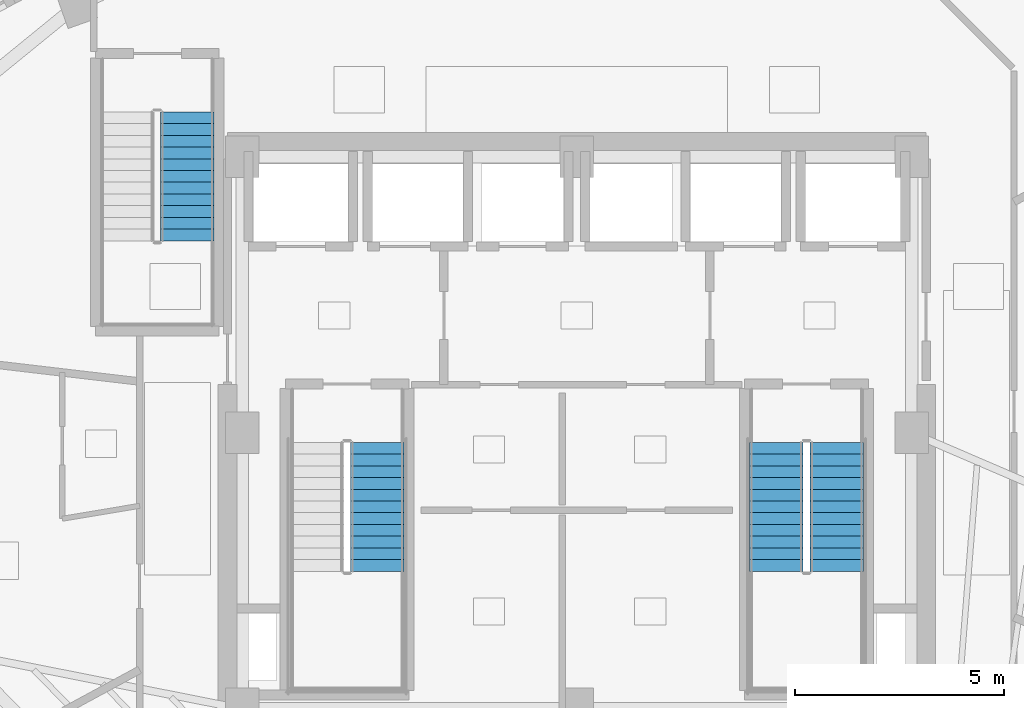
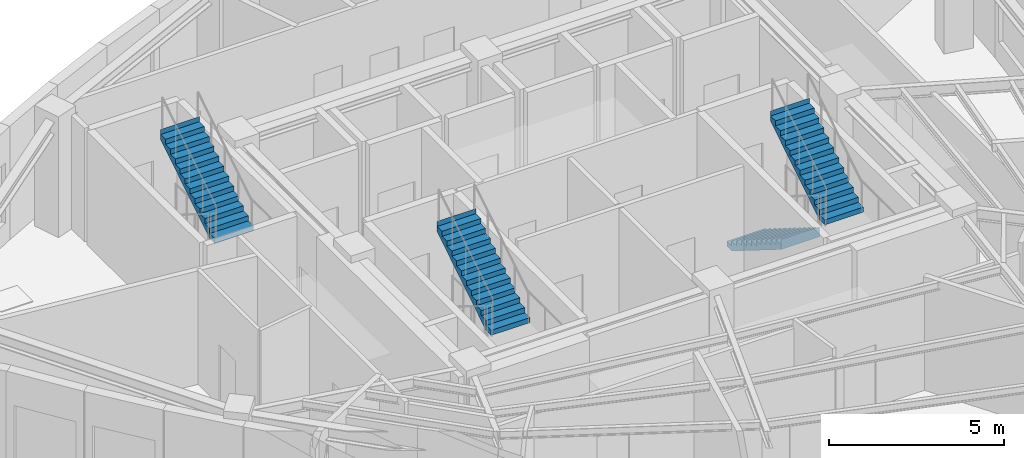
# One storey, part 6 of 9: 4 stair flights, 3 elements without a shape of their own.
"""IFC4 building model written with IfcOpenShell, lengths in metres."""

from ifc_helpers import new_model, si_unit, direction, frame, origin, place, context, subcontext, project, spatial, polyline, outline, extrude, material, type_object, element, aggregate, save


model = new_model("IFC4")

# Units and contexts
model_context = context("Model", 3, precision=1e-05, world=origin(), true_north=direction((0.0, 1.0)))
body_context = subcontext(model_context, "Body", "Model", "MODEL_VIEW")
ifc_project = project(units=[si_unit("LENGTHUNIT", "METRE"), si_unit("AREAUNIT", "SQUARE_METRE"), si_unit("VOLUMEUNIT", "CUBIC_METRE"), si_unit("PLANEANGLEUNIT", "RADIAN"), si_unit("MASSUNIT", "GRAM", prefix="KILO")], contexts=[model_context])

# Site, building, storey
site_placement = place(None, origin())
site = spatial("IfcSite", under=ifc_project, at=site_placement, CompositionType="ELEMENT")
building_placement = place(site_placement, origin())
building = spatial("IfcBuilding", under=site, at=building_placement, Name="Ndelora Gate Hotel", CompositionType="ELEMENT")
storey_placement = place(building_placement, frame((0.0, 0.0, 260.199951171875)))
storey = spatial("IfcBuildingStorey", under=building, at=storey_placement, Name="L65", CompositionType="ELEMENT", Elevation=260.199951171875)

# Stair, stair flight
ifc_material = material(Name="Precast concrete C40/50", Category="concrete")
stair_type = type_object("IfcStairType", Name="STR-DOG-CORE", PredefinedType="HALF_TURN_STAIR", material=ifc_material)
stair_1_placement = place(storey_placement, origin())
stair_1 = element("IfcStair", 1, at=stair_1_placement, inside=storey, type_object=stair_type, Name="L65 Protected Core Exit Stair ST4", PredefinedType="HALF_TURN_STAIR")
stair_flight_type = type_object("IfcStairFlightType", Name="STF-PRECAST", PredefinedType="STRAIGHT", material=ifc_material)
stair_flight_1_placement = place(storey_placement, frame((-4.77001953125, -3.31005859375, 2.10009765625), z_axis=(0.0, 0.0, 1.0), x_axis=(0.0, 1.0, 0.0)))
stair_flight_1 = element("IfcStairFlight", 2, at=stair_flight_1_placement, type_object=stair_flight_type, Name="ST4 flight 2", NumberOfRisers=12, NumberOfTreads=11, PredefinedType="STRAIGHT", RiserHeight=0.175, TreadLength=0.28, context=body_context, shape_type="SweptSolid", body=[
    extrude(outline(polyline([(-0.00048828125, 0.0), (-0.00048828125, 0.175048828125), (0.0, 0.175048828125), (0.280029296875, 0.175048828125), (0.280029296875, 0.35009765625), (0.56005859375, 0.35009765625), (0.56005859375, 0.52490234375), (0.840087890625, 0.52490234375), (0.840087890625, 0.699951171875), (1.1201171875, 0.699951171875), (1.1201171875, 0.875), (1.39990234375, 0.875), (1.39990234375, 1.050048828125), (1.679931640625, 1.050048828125), (1.679931640625, 1.22509765625), (1.9599609375, 1.22509765625), (1.9599609375, 1.39990234375), (2.239990234375, 1.39990234375), (2.239990234375, 1.574951171875), (2.52001953125, 1.574951171875), (2.52001953125, 1.75), (2.800048828125, 1.75), (2.800048828125, 1.925048828125), (3.080078125, 1.925048828125), (3.080078125, 2.10009765625), (3.08056640625, 2.10009765625), (3.08056640625, 1.919921875), (3.080078125, 1.748291015625), (0.28271484375, 0.0), (-0.00048828125, 0.0)])), frame((0.0, 0.64013671875, 0.0), z_axis=(0.0, -1.0, 0.0), x_axis=(1.0, 0.0, 0.0)), (0.0, 0.0, 1.0), 1.280029296875),
])
aggregate(stair_1, [stair_flight_1])

# Stair, stair flights
stair_2_placement = place(storey_placement, origin())
stair_2 = element("IfcStair", 3, at=stair_2_placement, inside=storey, type_object=stair_type, Name="L65 Protected Core Exit Stair ST5", PredefinedType="HALF_TURN_STAIR")
stair_flight_2_placement = place(storey_placement, frame((4.77001953125, -0.22998046875, 0.0), z_axis=(0.0, 0.0, 1.0), x_axis=(0.0, -1.0, 0.0)))
stair_flight_2 = element("IfcStairFlight", 4, at=stair_flight_2_placement, type_object=stair_flight_type, Name="ST5 flight 1", NumberOfRisers=12, NumberOfTreads=11, PredefinedType="STRAIGHT", RiserHeight=0.175, TreadLength=0.28, context=body_context, shape_type="SweptSolid", body=[
    extrude(outline(polyline([(-0.00048828125, 0.0), (-0.00048828125, 0.175048828125), (0.0, 0.175048828125), (0.280029296875, 0.175048828125), (0.280029296875, 0.35009765625), (0.56005859375, 0.35009765625), (0.56005859375, 0.52490234375), (0.840087890625, 0.52490234375), (0.840087890625, 0.699951171875), (1.1201171875, 0.699951171875), (1.1201171875, 0.875), (1.39990234375, 0.875), (1.39990234375, 1.050048828125), (1.679931640625, 1.050048828125), (1.679931640625, 1.22509765625), (1.9599609375, 1.22509765625), (1.9599609375, 1.39990234375), (2.239990234375, 1.39990234375), (2.239990234375, 1.574951171875), (2.52001953125, 1.574951171875), (2.52001953125, 1.75), (2.800048828125, 1.75), (2.800048828125, 1.925048828125), (3.080078125, 1.925048828125), (3.080078125, 2.10009765625), (3.08056640625, 2.10009765625), (3.08056640625, 1.919921875), (3.080078125, 1.748291015625), (0.28271484375, 0.0), (-0.00048828125, 0.0)])), frame((0.0, 0.64013671875, 0.0), z_axis=(0.0, -1.0, 0.0), x_axis=(1.0, 0.0, 0.0)), (0.0, 0.0, 1.0), 1.280029296875),
])
stair_flight_3_placement = place(storey_placement, frame((6.2099609375, -3.31005859375, 2.10009765625), z_axis=(0.0, 0.0, 1.0), x_axis=(0.0, 1.0, 0.0)))
stair_flight_3 = element("IfcStairFlight", 5, at=stair_flight_3_placement, type_object=stair_flight_type, Name="ST5 flight 2", NumberOfRisers=12, NumberOfTreads=11, PredefinedType="STRAIGHT", RiserHeight=0.175, TreadLength=0.28, context=body_context, shape_type="SweptSolid", body=[
    extrude(outline(polyline([(-0.00048828125, 0.0), (-0.00048828125, 0.175048828125), (0.0, 0.175048828125), (0.280029296875, 0.175048828125), (0.280029296875, 0.35009765625), (0.56005859375, 0.35009765625), (0.56005859375, 0.52490234375), (0.840087890625, 0.52490234375), (0.840087890625, 0.699951171875), (1.1201171875, 0.699951171875), (1.1201171875, 0.875), (1.39990234375, 0.875), (1.39990234375, 1.050048828125), (1.679931640625, 1.050048828125), (1.679931640625, 1.22509765625), (1.9599609375, 1.22509765625), (1.9599609375, 1.39990234375), (2.239990234375, 1.39990234375), (2.239990234375, 1.574951171875), (2.52001953125, 1.574951171875), (2.52001953125, 1.75), (2.800048828125, 1.75), (2.800048828125, 1.925048828125), (3.080078125, 1.925048828125), (3.080078125, 2.10009765625), (3.08056640625, 2.10009765625), (3.08056640625, 1.919921875), (3.080078125, 1.748291015625), (0.28271484375, 0.0), (-0.00048828125, 0.0)])), frame((0.0, 0.64013671875, 0.0), z_axis=(0.0, -1.0, 0.0), x_axis=(1.0, 0.0, 0.0)), (0.0, 0.0, 1.0), 1.280029296875),
])
aggregate(stair_2, [stair_flight_2, stair_flight_3])

# Stair, stair flight
stair_3_placement = place(storey_placement, origin())
stair_3 = element("IfcStair", 6, at=stair_3_placement, inside=storey, type_object=stair_type, Name="L65 Crown Observation Exit Stair ST6", PredefinedType="HALF_TURN_STAIR")
stair_flight_4_placement = place(storey_placement, frame((-9.31005859375, 4.590087890625, 2.10009765625), z_axis=(0.0, 0.0, 1.0), x_axis=(0.0, 1.0, 0.0)))
stair_flight_4 = element("IfcStairFlight", 7, at=stair_flight_4_placement, type_object=stair_flight_type, Name="ST6 flight 2", NumberOfRisers=12, NumberOfTreads=11, PredefinedType="STRAIGHT", RiserHeight=0.175, TreadLength=0.28, context=body_context, shape_type="SweptSolid", body=[
    extrude(outline(polyline([(-0.00048828125, 0.0), (-0.00048828125, 0.175048828125), (0.0, 0.175048828125), (0.280029296875, 0.175048828125), (0.280029296875, 0.35009765625), (0.56005859375, 0.35009765625), (0.56005859375, 0.52490234375), (0.840087890625, 0.52490234375), (0.840087890625, 0.699951171875), (1.1201171875, 0.699951171875), (1.1201171875, 0.875), (1.39990234375, 0.875), (1.39990234375, 1.050048828125), (1.679931640625, 1.050048828125), (1.679931640625, 1.22509765625), (1.9599609375, 1.22509765625), (1.9599609375, 1.39990234375), (2.239990234375, 1.39990234375), (2.239990234375, 1.574951171875), (2.52001953125, 1.574951171875), (2.52001953125, 1.75), (2.800048828125, 1.75), (2.800048828125, 1.925048828125), (3.080078125, 1.925048828125), (3.080078125, 2.10009765625), (3.08056640625, 2.10009765625), (3.08056640625, 1.919921875), (3.080078125, 1.748291015625), (0.28271484375, 0.0), (-0.00048828125, 0.0)])), frame((0.0, 0.64013671875, 0.0), z_axis=(0.0, -1.0, 0.0), x_axis=(1.0, 0.0, 0.0)), (0.0, 0.0, 1.0), 1.280029296875),
])
aggregate(stair_3, [stair_flight_4])

save(model, "model.ifc")
